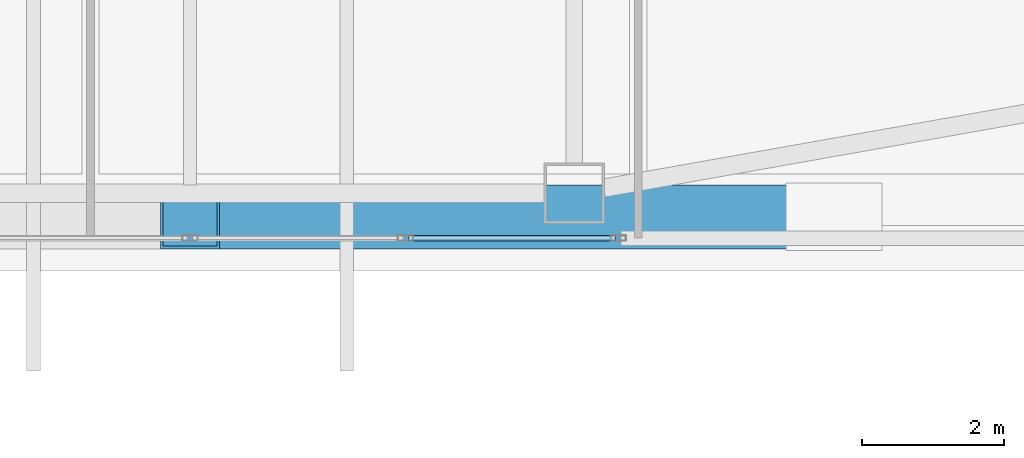
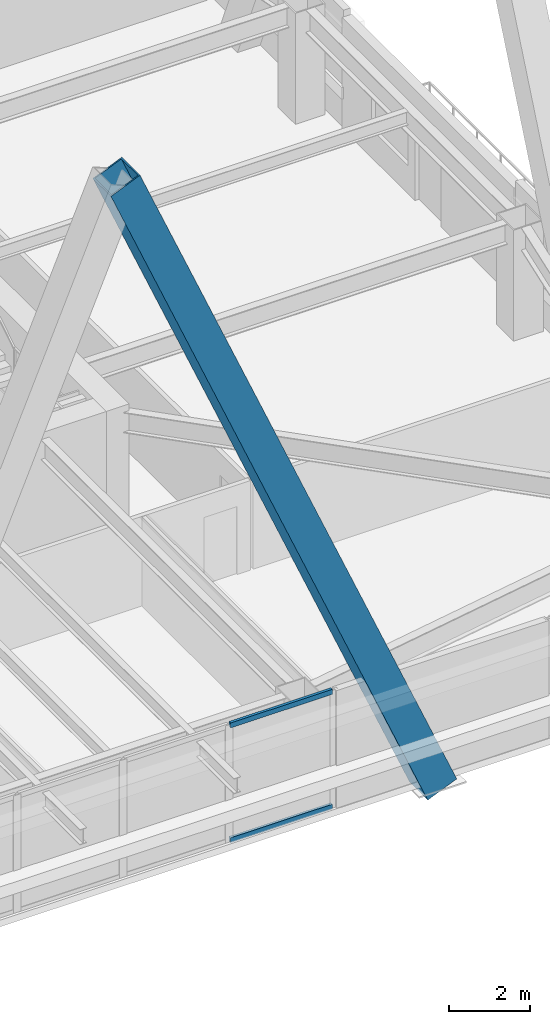
# One storey, part 6 of 54: 3 members, 1 element without a shape of its own.
"""IFC4 building model written with IfcOpenShell, lengths in metres."""

from ifc_helpers import new_model, si_unit, direction, frame, origin, origin_2d, place, context, subcontext, project, spatial, hollow_rectangle, extrude, material, material_profile, profile_set, type_object, element, aggregate, save


model = new_model("IFC4")

# Units and contexts
model_context = context("Model", 3, precision=1e-05, world=origin(), true_north=direction((0.0, 1.0)))
body_context = subcontext(model_context, "Body", "Model", "MODEL_VIEW")
ifc_project = project(units=[si_unit("LENGTHUNIT", "METRE"), si_unit("AREAUNIT", "SQUARE_METRE"), si_unit("VOLUMEUNIT", "CUBIC_METRE"), si_unit("PLANEANGLEUNIT", "RADIAN"), si_unit("MASSUNIT", "GRAM", prefix="KILO")], contexts=[model_context])

# Site, building, storey
site_placement = place(None, origin())
site = spatial("IfcSite", under=ifc_project, at=site_placement, CompositionType="ELEMENT")
building_placement = place(site_placement, origin())
building = spatial("IfcBuilding", under=site, at=building_placement, Name="Tashvorn Skyway Center", CompositionType="ELEMENT")
storey_placement = place(building_placement, frame((0.0, 0.0, 88.5)))
storey = spatial("IfcBuildingStorey", under=building, at=storey_placement, Name="L23", CompositionType="ELEMENT", Elevation=88.5)

# Curtain wall, members
ifc_material_1 = material(Name="Thermally broken bronze-anodized aluminium 6063-T6", Category="aluminium")
curtain_wall_type = type_object("IfcCurtainWallType", Name="CW-CW-Z2", PredefinedType="NOTDEFINED", material=ifc_material_1)
curtain_wall_placement = place(storey_placement, origin())
curtain_wall = element("IfcCurtainWall", 1, at=curtain_wall_placement, inside=storey, type_object=curtain_wall_type, Name="Tower 1 L23 South Unitised Curtain Wall Glazing Group 2", PredefinedType="NOTDEFINED")
ifc_material_profile_1 = material_profile(ifc_material_1, hollow_rectangle(XDim=0.080078125, YDim=0.14990234375, WallThickness=0.00439453125, at=origin_2d()), Name="ALU-TRAN-80x150")
ifc_profile_set_1 = profile_set([ifc_material_profile_1], Name="Thermally broken bronze-anodized aluminium 6063-T6")
member_type_1 = type_object("IfcMemberType", Name="CWT-CW-Z2", PredefinedType="USERDEFINED", material=ifc_profile_set_1)
member_1_placement = place(storey_placement, frame((47.97998046875, 11.02001953125, 0.0400390625), z_axis=(-1.0, 0.0, 0.0), x_axis=(0.0, -1.0, 0.0)))
member_1 = element("IfcMember", 2, at=member_1_placement, type_object=member_type_1, Name="CW-Z2 transom 1.1", ObjectType="TRANSOM", PredefinedType="USERDEFINED", context=body_context, shape_type="SweptSolid", body=[
    extrude(hollow_rectangle(XDim=0.080078125, YDim=0.14990234375, WallThickness=0.00439453125, at=origin_2d()), origin(), (0.0, 0.0, 1.0), 2.909912109375),
])
member_2_placement = place(storey_placement, frame((47.97998046875, 11.02001953125, 3.510009765625), z_axis=(-1.0, 0.0, 0.0), x_axis=(0.0, -1.0, 0.0)))
member_2 = element("IfcMember", 3, at=member_2_placement, type_object=member_type_1, Name="CW-Z2 transom 1.2", ObjectType="TRANSOM", PredefinedType="USERDEFINED", context=body_context, shape_type="SweptSolid", body=[
    extrude(hollow_rectangle(XDim=0.080078125, YDim=0.14990234375, WallThickness=0.00439453125, at=origin_2d()), origin(), (0.0, 0.0, 1.0), 2.909912109375),
])
aggregate(curtain_wall, [member_1, member_2])

# Member
ifc_material_2 = material(Name="Steel ASTM A572 Grade 50", Category="steel")
ifc_material_profile_2 = material_profile(ifc_material_2, hollow_rectangle(XDim=0.89990234375, YDim=0.89990234375, WallThickness=0.0400390625, at=origin_2d()), Name="BOX900x900x40")
ifc_profile_set_2 = profile_set([ifc_material_profile_2], Name="Steel ASTM A572 Grade 50")
member_type_2 = type_object("IfcMemberType", Name="MEM-MB-900", PredefinedType="BRACE", material=ifc_profile_set_2)
member_3_placement = place(storey_placement, frame((51.050048828125, 11.320068359375, -0.449951171875), z_axis=(-0.389502874724, 0.0, 0.921025249698), x_axis=(0.0, -1.0, 0.0)))
element("IfcMember", 4, at=member_3_placement, inside=storey, type_object=member_type_2, Name="Tower 1 Zone 2 S Chevron Mega-Brace R2", PredefinedType="BRACE", context=body_context, shape_type="SweptSolid", body=[
    extrude(hollow_rectangle(XDim=0.89990234375, YDim=0.89990234375, WallThickness=0.0400390625, at=origin_2d()), origin(), (0.0, 0.0, 1.0), 23.23486328125),
])

save(model, "model.ifc")
